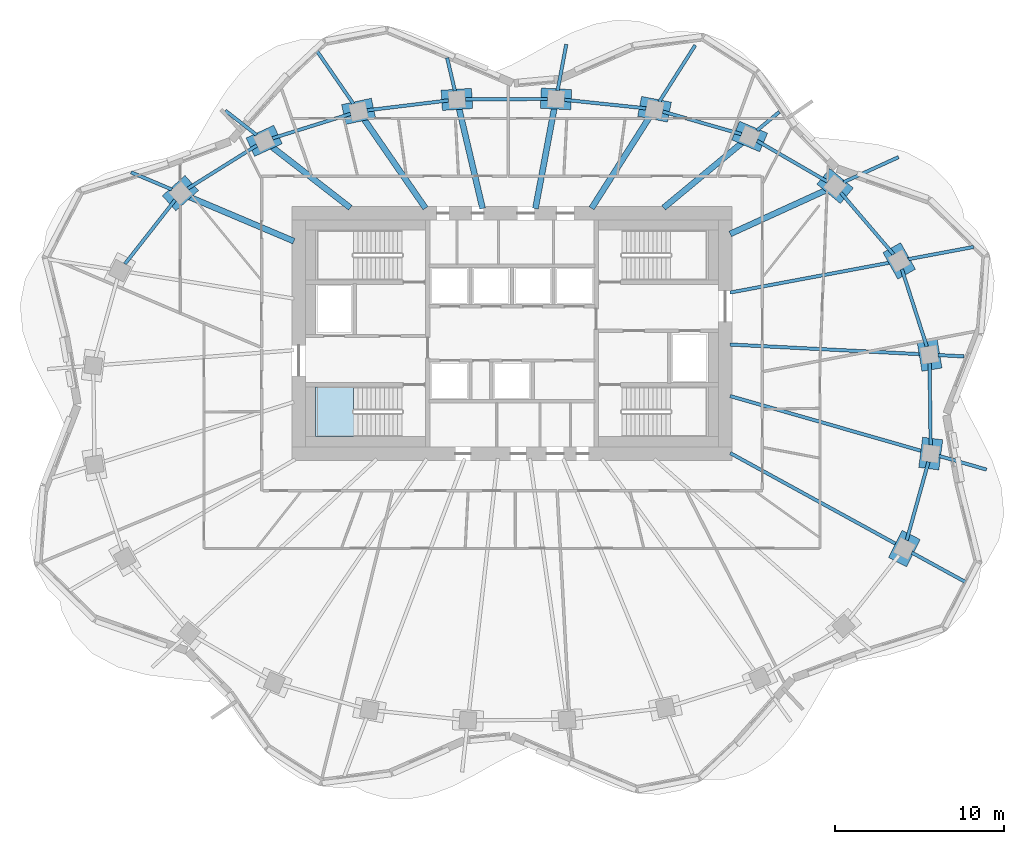
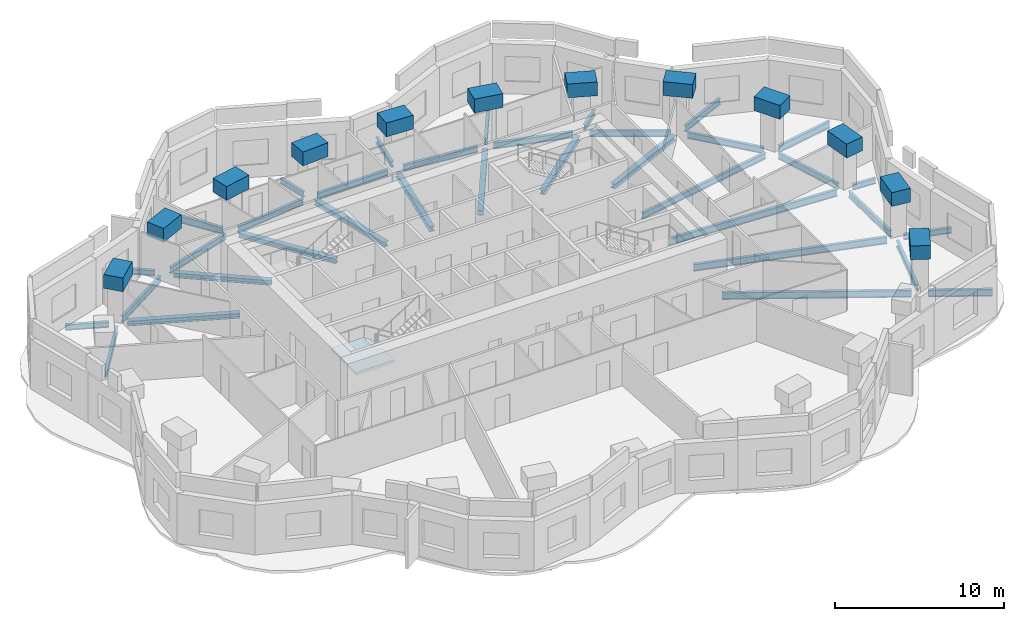
# One storey, part 2 of 11: 48 beams, 1 slab, 1 element without a shape of its own.
"""IFC4 building model written with IfcOpenShell, lengths in metres."""

from ifc_helpers import new_model, si_unit, direction, frame, origin, origin_2d, place, context, subcontext, project, spatial, polyline, rectangle, i_section, outline, extrude, material, layer, layer_set, material_profile, profile_set, type_object, element, aggregate, save


model = new_model("IFC4")

# Units and contexts
model_context = context("Model", 3, precision=1e-05, world=origin(), true_north=direction((0.0, 1.0)))
body_context = subcontext(model_context, "Body", "Model", "MODEL_VIEW")
ifc_project = project(units=[si_unit("LENGTHUNIT", "METRE"), si_unit("AREAUNIT", "SQUARE_METRE"), si_unit("VOLUMEUNIT", "CUBIC_METRE"), si_unit("PLANEANGLEUNIT", "RADIAN"), si_unit("MASSUNIT", "GRAM", prefix="KILO")], contexts=[model_context])

# Site, building, storey
site_placement = place(None, origin())
site = spatial("IfcSite", under=ifc_project, at=site_placement, CompositionType="ELEMENT")
building_placement = place(site_placement, origin())
building = spatial("IfcBuilding", under=site, at=building_placement, Name="Rubra Terraces Tower", CompositionType="ELEMENT")
storey_placement = place(building_placement, frame((0.0, 0.0, 260.39990234375)))
storey = spatial("IfcBuildingStorey", under=building, at=storey_placement, Name="L64", CompositionType="ELEMENT", Elevation=260.39990234375)

# Beams
ifc_material_1 = material(Name="Steel Q355B", Category="steel")
ifc_material_profile_1 = material_profile(ifc_material_1, i_section(OverallWidth=0.199951171875, OverallDepth=0.39990234375, WebThickness=0.008056640625, FlangeThickness=0.012939453125, at=origin_2d()), Name="HN 400x200x8x13")
ifc_profile_set_1 = profile_set([ifc_material_profile_1], Name="Steel Q355B")
beam_type_1 = type_object("IfcBeamType", Name="CANTILEVER BEAM HN 400x200x8x13", PredefinedType="BEAM", material=ifc_profile_set_1)
beam_1_placement = place(storey_placement, frame((25.179931640625, 3.221923828125, -0.39990234375), z_axis=(0.998705379321, -0.050868116877, 0.0), x_axis=(0.050868116877, 0.998705379321, 0.0)))
element("IfcBeam", 1, at=beam_1_placement, inside=storey, type_object=beam_type_1, Name="beam-L64-cant-01", PredefinedType="BEAM", context=body_context, shape_type="SweptSolid", body=[
    extrude(i_section(OverallWidth=0.199951171875, OverallDepth=0.39990234375, WebThickness=0.008056640625, FlangeThickness=0.012939453125, at=origin_2d()), origin(), (0.0, 0.0, 1.0), 1.531005859375),
])
beam_2_placement = place(storey_placement, frame((14.47509765625, 16.4951171875, -0.39990234375), z_axis=(0.77029770599, 0.637684439316, 0.0), x_axis=(-0.637684439316, 0.77029770599, 0.0)))
element("IfcBeam", 2, at=beam_2_placement, inside=storey, type_object=beam_type_1, Name="beam-L64-cant-04", PredefinedType="BEAM", context=body_context, shape_type="SweptSolid", body=[
    extrude(i_section(OverallWidth=0.199951171875, OverallDepth=0.39990234375, WebThickness=0.008056640625, FlangeThickness=0.012939453125, at=origin_2d()), origin(), (0.0, 0.0, 1.0), 1.712158203125),
])
beam_3_placement = place(storey_placement, frame((2.695068359375, 18.85400390625, -0.39990234375), z_axis=(0.184719314681, 0.982791318024, 0.0), x_axis=(-0.982791318024, 0.184719314681, 0.0)))
element("IfcBeam", 3, at=beam_3_placement, inside=storey, type_object=beam_type_1, Name="beam-L64-cant-06", PredefinedType="BEAM", context=body_context, shape_type="SweptSolid", body=[
    extrude(i_section(OverallWidth=0.199951171875, OverallDepth=0.39990234375, WebThickness=0.008056640625, FlangeThickness=0.012939453125, at=origin_2d()), origin(), (0.0, 0.0, 1.0), 2.771484375),
])
beam_4_placement = place(storey_placement, frame((-3.3701171875, 18.823974609375, -0.39990234375), z_axis=(-0.229039333726, 0.973417168334, 0.0), x_axis=(-0.973417168334, -0.229039333726, 0.0)))
element("IfcBeam", 4, at=beam_4_placement, inside=storey, type_object=beam_type_1, Name="beam-L64-cant-07", PredefinedType="BEAM", context=body_context, shape_type="SweptSolid", body=[
    extrude(i_section(OverallWidth=0.199951171875, OverallDepth=0.39990234375, WebThickness=0.008056640625, FlangeThickness=0.012939453125, at=origin_2d()), origin(), (0.0, 0.0, 1.0), 2.016845703125),
])
beam_5_placement = place(storey_placement, frame((-15.087890625, 16.22705078125, -0.39990234375), z_axis=(-0.789644202525, 0.613565019716, 0.0), x_axis=(-0.613565019716, -0.789644202525, 0.0)))
element("IfcBeam", 5, at=beam_5_placement, inside=storey, type_object=beam_type_1, Name="beam-L64-cant-09", PredefinedType="BEAM", context=body_context, shape_type="SweptSolid", body=[
    extrude(i_section(OverallWidth=0.199951171875, OverallDepth=0.39990234375, WebThickness=0.008056640625, FlangeThickness=0.012939453125, at=origin_2d()), origin(), (0.0, 0.0, 1.0), 2.340576171875),
])
beam_6_placement = place(storey_placement, frame((-20.10205078125, 13.0048828125, -0.39990234375), z_axis=(-0.920891110766, 0.389819909846, 0.0), x_axis=(-0.389819909846, -0.920891110766, 0.0)))
element("IfcBeam", 6, at=beam_6_placement, inside=storey, type_object=beam_type_1, Name="beam-L64-cant-10", PredefinedType="BEAM", context=body_context, shape_type="SweptSolid", body=[
    extrude(i_section(OverallWidth=0.199951171875, OverallDepth=0.39990234375, WebThickness=0.008056640625, FlangeThickness=0.012939453125, at=origin_2d()), origin(), (0.0, 0.0, 1.0), 2.611572265625),
])
beam_7_placement = place(storey_placement, frame((25.22900390625, -2.738037109375, -0.39990234375), z_axis=(0.961186154609, -0.275900663625, 0.0), x_axis=(0.275900663625, 0.961186154609, 0.0)))
element("IfcBeam", 7, at=beam_7_placement, inside=storey, type_object=beam_type_1, Name="beam-L64-cant-24", PredefinedType="BEAM", context=body_context, shape_type="SweptSolid", body=[
    extrude(i_section(OverallWidth=0.199951171875, OverallDepth=0.39990234375, WebThickness=0.008056640625, FlangeThickness=0.012939453125, at=origin_2d()), origin(), (0.0, 0.0, 1.0), 2.924560546875),
])
ifc_material_profile_2 = material_profile(ifc_material_1, i_section(OverallWidth=0.198974609375, OverallDepth=0.446044921875, WebThickness=0.008056640625, FlangeThickness=0.011962890625, at=origin_2d()), Name="HN 446x199x8x12")
ifc_profile_set_2 = profile_set([ifc_material_profile_2], Name="Steel Q355B")
beam_type_2 = type_object("IfcBeamType", Name="CANTILEVER BEAM HN 446x199x8x12", PredefinedType="BEAM", material=ifc_profile_set_2)
beam_8_placement = place(storey_placement, frame((19.596923828125, 13.43896484375, -0.4228515625), z_axis=(0.909750987553, 0.415154357614, 0.0), x_axis=(-0.415154357614, 0.909750987553, 0.0)))
element("IfcBeam", 8, at=beam_8_placement, inside=storey, type_object=beam_type_2, Name="beam-L64-cant-03", PredefinedType="BEAM", context=body_context, shape_type="SweptSolid", body=[
    extrude(i_section(OverallWidth=0.198974609375, OverallDepth=0.446044921875, WebThickness=0.008056640625, FlangeThickness=0.011962890625, at=origin_2d()), origin(), (0.0, 0.0, 1.0), 3.56494140625),
])
ifc_material_profile_3 = material_profile(ifc_material_1, i_section(OverallWidth=0.198974609375, OverallDepth=0.49609375, WebThickness=0.009033203125, FlangeThickness=0.013916015625, at=origin_2d()), Name="HN 496x199x9x14")
ifc_profile_set_3 = profile_set([ifc_material_profile_3], Name="Steel Q355B")
beam_type_3 = type_object("IfcBeamType", Name="CANTILEVER BEAM HN 496x199x9x14", PredefinedType="BEAM", material=ifc_profile_set_3)
beam_9_placement = place(storey_placement, frame((23.39794921875, 8.884033203125, -0.447998046875), z_axis=(0.982865888577, 0.18432212312, 0.0), x_axis=(-0.18432212312, 0.982865888577, 0.0)))
element("IfcBeam", 9, at=beam_9_placement, inside=storey, type_object=beam_type_3, Name="beam-L64-cant-02", PredefinedType="BEAM", context=body_context, shape_type="SweptSolid", body=[
    extrude(i_section(OverallWidth=0.198974609375, OverallDepth=0.49609375, WebThickness=0.009033203125, FlangeThickness=0.013916015625, at=origin_2d()), origin(), (0.0, 0.0, 1.0), 3.94970703125),
])
beam_10_placement = place(storey_placement, frame((8.7099609375, 18.201904296875, -0.447998046875), z_axis=(0.536427545347, 0.843946377795, 0.0), x_axis=(-0.843946377795, 0.536427545347, 0.0)))
element("IfcBeam", 10, at=beam_10_placement, inside=storey, type_object=beam_type_3, Name="beam-L64-cant-05", PredefinedType="BEAM", context=body_context, shape_type="SweptSolid", body=[
    extrude(i_section(OverallWidth=0.198974609375, OverallDepth=0.49609375, WebThickness=0.009033203125, FlangeThickness=0.013916015625, at=origin_2d()), origin(), (0.0, 0.0, 1.0), 3.950439453125),
])
beam_11_placement = place(storey_placement, frame((-9.3701171875, 18.070068359375, -0.447998046875), z_axis=(-0.568216621414, 0.822879013676, 0.0), x_axis=(-0.822879013676, -0.568216621414, 0.0)))
element("IfcBeam", 11, at=beam_11_placement, inside=storey, type_object=beam_type_3, Name="beam-L64-cant-08", PredefinedType="BEAM", context=body_context, shape_type="SweptSolid", body=[
    extrude(i_section(OverallWidth=0.198974609375, OverallDepth=0.49609375, WebThickness=0.009033203125, FlangeThickness=0.013916015625, at=origin_2d()), origin(), (0.0, 0.0, 1.0), 3.95068359375),
])
beam_12_placement = place(storey_placement, frame((23.6240234375, -8.449951171875, -0.447998046875), z_axis=(0.876754126766, -0.480938874701, 0.0), x_axis=(0.480938874701, 0.876754126766, 0.0)))
element("IfcBeam", 12, at=beam_12_placement, inside=storey, type_object=beam_type_3, Name="beam-L64-cant-23", PredefinedType="BEAM", context=body_context, shape_type="SweptSolid", body=[
    extrude(i_section(OverallWidth=0.198974609375, OverallDepth=0.49609375, WebThickness=0.009033203125, FlangeThickness=0.013916015625, at=origin_2d()), origin(), (0.0, 0.0, 1.0), 3.8173828125),
])
ifc_material_profile_4 = material_profile(ifc_material_1, i_section(OverallWidth=0.198974609375, OverallDepth=0.446044921875, WebThickness=0.008056640625, FlangeThickness=0.011962890625, at=origin_2d()), Name="HN 446x199x8x12")
ifc_profile_set_4 = profile_set([ifc_material_profile_4], Name="Steel Q355B")
beam_type_4 = type_object("IfcBeamType", Name="FLOOR BEAM HN 446x199x8x12", PredefinedType="BEAM", material=ifc_profile_set_4)
beam_13_placement = place(storey_placement, frame((22.360107421875, 8.68994140625, -0.4228515625), z_axis=(-0.982895681695, -0.18416318553, 0.0), x_axis=(0.18416318553, -0.982895681695, 0.0)))
element("IfcBeam", 13, at=beam_13_placement, inside=storey, type_object=beam_type_4, Name="beam-L64-floor-02", PredefinedType="BEAM", context=body_context, shape_type="SweptSolid", body=[
    extrude(i_section(OverallWidth=0.198974609375, OverallDepth=0.446044921875, WebThickness=0.008056640625, FlangeThickness=0.011962890625, at=origin_2d()), origin(), (0.0, 0.0, 1.0), 9.64306640625),
])
ifc_material_profile_5 = material_profile(ifc_material_1, i_section(OverallWidth=0.198974609375, OverallDepth=0.49609375, WebThickness=0.009033203125, FlangeThickness=0.013916015625, at=origin_2d()), Name="HN 496x199x9x14")
ifc_profile_set_5 = profile_set([ifc_material_profile_5], Name="Steel Q355B")
beam_type_5 = type_object("IfcBeamType", Name="FLOOR BEAM HN 496x199x9x14", PredefinedType="BEAM", material=ifc_profile_set_5)
beam_14_placement = place(storey_placement, frame((24.157958984375, 3.27392578125, -0.447998046875), z_axis=(-0.998716228561, 0.050654662269, 0.0), x_axis=(-0.050654662269, -0.998716228561, 0.0)))
element("IfcBeam", 14, at=beam_14_placement, inside=storey, type_object=beam_type_5, Name="beam-L64-floor-01", PredefinedType="BEAM", context=body_context, shape_type="SweptSolid", body=[
    extrude(i_section(OverallWidth=0.198974609375, OverallDepth=0.49609375, WebThickness=0.009033203125, FlangeThickness=0.013916015625, at=origin_2d()), origin(), (0.0, 0.0, 1.0), 11.29248046875),
])
beam_15_placement = place(storey_placement, frame((22.74609375, -7.969970703125, -0.447998046875), z_axis=(-0.876862055903, 0.480742066932, 0.0), x_axis=(-0.480742066932, -0.876862055903, 0.0)))
element("IfcBeam", 15, at=beam_15_placement, inside=storey, type_object=beam_type_5, Name="beam-L64-floor-23", PredefinedType="BEAM", context=body_context, shape_type="SweptSolid", body=[
    extrude(i_section(OverallWidth=0.198974609375, OverallDepth=0.49609375, WebThickness=0.009033203125, FlangeThickness=0.013916015625, at=origin_2d()), origin(), (0.0, 0.0, 1.0), 11.234375),
])
beam_16_placement = place(storey_placement, frame((24.257080078125, -2.4599609375, -0.447998046875), z_axis=(-0.961215754667, 0.275797521707, 0.0), x_axis=(-0.275797521707, -0.961215754667, 0.0)))
element("IfcBeam", 16, at=beam_16_placement, inside=storey, type_object=beam_type_5, Name="beam-L64-floor-24", PredefinedType="BEAM", context=body_context, shape_type="SweptSolid", body=[
    extrude(i_section(OverallWidth=0.198974609375, OverallDepth=0.49609375, WebThickness=0.009033203125, FlangeThickness=0.013916015625, at=origin_2d()), origin(), (0.0, 0.0, 1.0), 11.830810546875),
])
ifc_material_profile_6 = material_profile(ifc_material_1, i_section(OverallWidth=0.35009765625, OverallDepth=0.35009765625, WebThickness=0.011962890625, FlangeThickness=0.01904296875, at=origin_2d()), Name="HW 350x350x12x19")
ifc_profile_set_6 = profile_set([ifc_material_profile_6], Name="Steel Q355B")
beam_type_6 = type_object("IfcBeamType", Name="FLOOR BEAM HW 350x350x12x19", PredefinedType="BEAM", material=ifc_profile_set_6)
beam_17_placement = place(storey_placement, frame((18.5869140625, 12.97900390625, -0.375), z_axis=(-0.909756526533, -0.415142219523, 0.0), x_axis=(0.415142219523, -0.909756526533, 0.0)))
element("IfcBeam", 17, at=beam_17_placement, inside=storey, type_object=beam_type_6, Name="beam-L64-floor-03", PredefinedType="BEAM", context=body_context, shape_type="SweptSolid", body=[
    extrude(i_section(OverallWidth=0.35009765625, OverallDepth=0.35009765625, WebThickness=0.011962890625, FlangeThickness=0.01904296875, at=origin_2d()), origin(), (0.0, 0.0, 1.0), 6.2607421875),
])
beam_18_placement = place(storey_placement, frame((13.60888671875, 15.777099609375, -0.375), z_axis=(-0.769987518392, -0.638058948312, 0.0), x_axis=(0.638058948312, -0.769987518392, 0.0)))
element("IfcBeam", 18, at=beam_18_placement, inside=storey, type_object=beam_type_6, Name="beam-L64-floor-04", PredefinedType="BEAM", context=body_context, shape_type="SweptSolid", body=[
    extrude(i_section(OverallWidth=0.35009765625, OverallDepth=0.35009765625, WebThickness=0.011962890625, FlangeThickness=0.01904296875, at=origin_2d()), origin(), (0.0, 0.0, 1.0), 6.040283203125),
])
beam_19_placement = place(storey_placement, frame((8.134033203125, 17.2958984375, -0.375), z_axis=(-0.536509861106, -0.843894050776, 0.0), x_axis=(0.843894050776, -0.536509861106, 0.0)))
element("IfcBeam", 19, at=beam_19_placement, inside=storey, type_object=beam_type_6, Name="beam-L64-floor-05", PredefinedType="BEAM", context=body_context, shape_type="SweptSolid", body=[
    extrude(i_section(OverallWidth=0.35009765625, OverallDepth=0.35009765625, WebThickness=0.011962890625, FlangeThickness=0.01904296875, at=origin_2d()), origin(), (0.0, 0.0, 1.0), 6.395263671875),
])
beam_20_placement = place(storey_placement, frame((2.509033203125, 17.862060546875, -0.375), z_axis=(-0.184574398021, -0.982818544593, 0.0), x_axis=(0.982818544593, -0.184574398021, 0.0)))
element("IfcBeam", 20, at=beam_20_placement, inside=storey, type_object=beam_type_6, Name="beam-L64-floor-06", PredefinedType="BEAM", context=body_context, shape_type="SweptSolid", body=[
    extrude(i_section(OverallWidth=0.35009765625, OverallDepth=0.35009765625, WebThickness=0.011962890625, FlangeThickness=0.01904296875, at=origin_2d()), origin(), (0.0, 0.0, 1.0), 6.08447265625),
])
beam_21_placement = place(storey_placement, frame((-3.137939453125, 17.8359375, -0.375), z_axis=(0.229070485592, -0.973409837957, 0.0), x_axis=(0.973409837957, 0.229070485592, 0.0)))
element("IfcBeam", 21, at=beam_21_placement, inside=storey, type_object=beam_type_6, Name="beam-L64-floor-07", PredefinedType="BEAM", context=body_context, shape_type="SweptSolid", body=[
    extrude(i_section(OverallWidth=0.35009765625, OverallDepth=0.35009765625, WebThickness=0.011962890625, FlangeThickness=0.01904296875, at=origin_2d()), origin(), (0.0, 0.0, 1.0), 6.115478515625),
])
beam_22_placement = place(storey_placement, frame((-8.756103515625, 17.179931640625, -0.375), z_axis=(0.568186422001, -0.822899866238, 0.0), x_axis=(0.822899866238, 0.568186422001, 0.0)))
element("IfcBeam", 22, at=beam_22_placement, inside=storey, type_object=beam_type_6, Name="beam-L64-floor-08", PredefinedType="BEAM", context=body_context, shape_type="SweptSolid", body=[
    extrude(i_section(OverallWidth=0.35009765625, OverallDepth=0.35009765625, WebThickness=0.011962890625, FlangeThickness=0.01904296875, at=origin_2d()), origin(), (0.0, 0.0, 1.0), 6.415283203125),
])
beam_23_placement = place(storey_placement, frame((-14.197998046875, 15.534912109375, -0.375), z_axis=(0.789548898228, -0.613687654517, 0.0), x_axis=(0.613687654517, 0.789548898228, 0.0)))
element("IfcBeam", 23, at=beam_23_placement, inside=storey, type_object=beam_type_6, Name="beam-L64-floor-09", PredefinedType="BEAM", context=body_context, shape_type="SweptSolid", body=[
    extrude(i_section(OverallWidth=0.35009765625, OverallDepth=0.35009765625, WebThickness=0.011962890625, FlangeThickness=0.01904296875, at=origin_2d()), origin(), (0.0, 0.0, 1.0), 5.880615234375),
])
beam_24_placement = place(storey_placement, frame((-19.083984375, 12.574951171875, -0.375), z_axis=(0.92097476483, -0.38962223056, 0.0), x_axis=(0.38962223056, 0.92097476483, 0.0)))
element("IfcBeam", 24, at=beam_24_placement, inside=storey, type_object=beam_type_6, Name="beam-L64-floor-10", PredefinedType="BEAM", context=body_context, shape_type="SweptSolid", body=[
    extrude(i_section(OverallWidth=0.35009765625, OverallDepth=0.35009765625, WebThickness=0.011962890625, FlangeThickness=0.01904296875, at=origin_2d()), origin(), (0.0, 0.0, 1.0), 6.7265625),
])
ifc_material_profile_7 = material_profile(ifc_material_1, i_section(OverallWidth=0.198974609375, OverallDepth=0.446044921875, WebThickness=0.008056640625, FlangeThickness=0.011962890625, at=origin_2d()), Name="HN 446x199x8x12")
ifc_profile_set_7 = profile_set([ifc_material_profile_7], Name="Steel Q355B")
beam_type_7 = type_object("IfcBeamType", Name="SPANDREL BEAM HN 446x199x8x12", PredefinedType="SPANDREL", material=ifc_profile_set_7)
beam_25_placement = place(storey_placement, frame((24.512939453125, 3.72900390625, -0.4228515625), z_axis=(-0.307359002872, 0.951593633519, 0.0), x_axis=(-0.951593633519, -0.307359002872, 0.0)))
element("IfcBeam", 25, at=beam_25_placement, inside=storey, type_object=beam_type_7, Name="beam-L64-spandrel-01", PredefinedType="SPANDREL", context=body_context, shape_type="SweptSolid", body=[
    extrude(i_section(OverallWidth=0.198974609375, OverallDepth=0.446044921875, WebThickness=0.008056640625, FlangeThickness=0.011962890625, at=origin_2d()), origin(), (0.0, 0.0, 1.0), 4.8056640625),
])
beam_26_placement = place(storey_placement, frame((22.547119140625, 9.174072265625, -0.4228515625), z_axis=(-0.650372836218, 0.759615148552, 0.0), x_axis=(-0.759615148552, -0.650372836218, 0.0)))
element("IfcBeam", 26, at=beam_26_placement, inside=storey, type_object=beam_type_7, Name="beam-L64-spandrel-02", PredefinedType="SPANDREL", context=body_context, shape_type="SweptSolid", body=[
    extrude(i_section(OverallWidth=0.198974609375, OverallDepth=0.446044921875, WebThickness=0.008056640625, FlangeThickness=0.011962890625, at=origin_2d()), origin(), (0.0, 0.0, 1.0), 4.804931640625),
])
beam_27_placement = place(storey_placement, frame((18.653076171875, 13.462890625, -0.4228515625), z_axis=(-0.865153680787, 0.501506838059, 0.0), x_axis=(-0.501506838059, -0.865153680787, 0.0)))
element("IfcBeam", 27, at=beam_27_placement, inside=storey, type_object=beam_type_7, Name="beam-L64-spandrel-03", PredefinedType="SPANDREL", context=body_context, shape_type="SweptSolid", body=[
    extrude(i_section(OverallWidth=0.198974609375, OverallDepth=0.446044921875, WebThickness=0.008056640625, FlangeThickness=0.011962890625, at=origin_2d()), origin(), (0.0, 0.0, 1.0), 4.82568359375),
])
beam_28_placement = place(storey_placement, frame((13.55810546875, 16.27490234375, -0.4228515625), z_axis=(-0.961171164323, 0.275952881621, 0.0), x_axis=(-0.275952881621, -0.961171164323, 0.0)))
element("IfcBeam", 28, at=beam_28_placement, inside=storey, type_object=beam_type_7, Name="beam-L64-spandrel-04", PredefinedType="SPANDREL", context=body_context, shape_type="SweptSolid", body=[
    extrude(i_section(OverallWidth=0.198974609375, OverallDepth=0.446044921875, WebThickness=0.008056640625, FlangeThickness=0.011962890625, at=origin_2d()), origin(), (0.0, 0.0, 1.0), 4.842041015625),
])
beam_29_placement = place(storey_placement, frame((7.923095703125, 17.801025390625, -0.4228515625), z_axis=(-0.994565426955, 0.104113454971, 0.0), x_axis=(-0.104113454971, -0.994565426955, 0.0)))
element("IfcBeam", 29, at=beam_29_placement, inside=storey, type_object=beam_type_7, Name="beam-L64-spandrel-05", PredefinedType="SPANDREL", context=body_context, shape_type="SweptSolid", body=[
    extrude(i_section(OverallWidth=0.198974609375, OverallDepth=0.446044921875, WebThickness=0.008056640625, FlangeThickness=0.011962890625, at=origin_2d()), origin(), (0.0, 0.0, 1.0), 4.849365234375),
])
beam_30_placement = place(storey_placement, frame((2.10107421875, 18.35595703125, -0.4228515625), z_axis=(-0.999987852299, -0.004929021704, 0.0), x_axis=(0.004929021704, -0.999987852299, 0.0)))
element("IfcBeam", 30, at=beam_30_placement, inside=storey, type_object=beam_type_7, Name="beam-L64-spandrel-06", PredefinedType="SPANDREL", context=body_context, shape_type="SweptSolid", body=[
    extrude(i_section(OverallWidth=0.198974609375, OverallDepth=0.446044921875, WebThickness=0.008056640625, FlangeThickness=0.011962890625, at=origin_2d()), origin(), (0.0, 0.0, 1.0), 4.85400390625),
])
beam_31_placement = place(storey_placement, frame((-3.7509765625, 18.27001953125, -0.4228515625), z_axis=(-0.992698018573, -0.120626049929, 0.0), x_axis=(0.120626049929, -0.992698018573, 0.0)))
element("IfcBeam", 31, at=beam_31_placement, inside=storey, type_object=beam_type_7, Name="beam-L64-spandrel-07", PredefinedType="SPANDREL", context=body_context, shape_type="SweptSolid", body=[
    extrude(i_section(OverallWidth=0.198974609375, OverallDepth=0.446044921875, WebThickness=0.008056640625, FlangeThickness=0.011962890625, at=origin_2d()), origin(), (0.0, 0.0, 1.0), 4.849365234375),
])
beam_32_placement = place(storey_placement, frame((-9.5419921875, 17.47509765625, -0.4228515625), z_axis=(-0.954462027342, -0.298332429282, 0.0), x_axis=(0.298332429282, -0.954462027342, 0.0)))
element("IfcBeam", 32, at=beam_32_placement, inside=storey, type_object=beam_type_7, Name="beam-L64-spandrel-08", PredefinedType="SPANDREL", context=body_context, shape_type="SweptSolid", body=[
    extrude(i_section(OverallWidth=0.198974609375, OverallDepth=0.446044921875, WebThickness=0.008056640625, FlangeThickness=0.011962890625, at=origin_2d()), origin(), (0.0, 0.0, 1.0), 4.840576171875),
])
beam_33_placement = place(storey_placement, frame((-15.071044921875, 15.614013671875, -0.4228515625), z_axis=(-0.848183088492, -0.529703170083, 0.0), x_axis=(0.529703170083, -0.848183088492, 0.0)))
element("IfcBeam", 33, at=beam_33_placement, inside=storey, type_object=beam_type_7, Name="beam-L64-spandrel-09", PredefinedType="SPANDREL", context=body_context, shape_type="SweptSolid", body=[
    extrude(i_section(OverallWidth=0.198974609375, OverallDepth=0.446044921875, WebThickness=0.008056640625, FlangeThickness=0.011962890625, at=origin_2d()), origin(), (0.0, 0.0, 1.0), 4.8232421875),
])
beam_34_placement = place(storey_placement, frame((-19.906005859375, 12.39111328125, -0.4228515625), z_axis=(-0.617060338015, -0.786915840004, 0.0), x_axis=(0.786915840004, -0.617060338015, 0.0)))
element("IfcBeam", 34, at=beam_34_placement, inside=storey, type_object=beam_type_7, Name="beam-L64-spandrel-10", PredefinedType="SPANDREL", context=body_context, shape_type="SweptSolid", body=[
    extrude(i_section(OverallWidth=0.198974609375, OverallDepth=0.446044921875, WebThickness=0.008056640625, FlangeThickness=0.011962890625, at=origin_2d()), origin(), (0.0, 0.0, 1.0), 4.8037109375),
])
beam_35_placement = place(storey_placement, frame((23.321044921875, -7.718994140625, -0.4228515625), z_axis=(0.267625533012, 0.963523001324, 0.0), x_axis=(-0.963523001324, 0.267625533012, 0.0)))
element("IfcBeam", 35, at=beam_35_placement, inside=storey, type_object=beam_type_7, Name="beam-L64-spandrel-23", PredefinedType="SPANDREL", context=body_context, shape_type="SweptSolid", body=[
    extrude(i_section(OverallWidth=0.198974609375, OverallDepth=0.446044921875, WebThickness=0.008056640625, FlangeThickness=0.011962890625, at=origin_2d()), origin(), (0.0, 0.0, 1.0), 4.808349609375),
])
beam_36_placement = place(storey_placement, frame((24.737060546875, -2.093994140625, -0.4228515625), z_axis=(-0.012822047643, 0.999917794168, 0.0), x_axis=(-0.999917794168, -0.012822047643, 0.0)))
element("IfcBeam", 36, at=beam_36_placement, inside=storey, type_object=beam_type_7, Name="beam-L64-spandrel-24", PredefinedType="SPANDREL", context=body_context, shape_type="SweptSolid", body=[
    extrude(i_section(OverallWidth=0.198974609375, OverallDepth=0.446044921875, WebThickness=0.008056640625, FlangeThickness=0.011962890625, at=origin_2d()), origin(), (0.0, 0.0, 1.0), 4.83642578125),
])
ifc_material_2 = material(Name="Concrete C50", Category="concrete")
ifc_material_profile_8 = material_profile(ifc_material_2, rectangle(XDim=1.199951171875, YDim=1.0, at=origin_2d()), Name="RC 1200x1000")
ifc_profile_set_8 = profile_set([ifc_material_profile_8], Name="Concrete C50")
beam_type_8 = type_object("IfcBeamType", Name="TRANSFER NODE RC 1200x1000 C50", PredefinedType="BEAM", material=ifc_profile_set_8)
beam_37_placement = place(storey_placement, frame((24.81396484375, 2.360107421875, 3.10009765625), z_axis=(-0.161185839737, 0.986924072595, 0.0), x_axis=(-0.986924072595, -0.161185839737, 0.0)))
element("IfcBeam", 37, at=beam_37_placement, inside=storey, type_object=beam_type_8, Name="node-L65-lo-01", PredefinedType="BEAM", context=body_context, shape_type="SweptSolid", body=[
    extrude(rectangle(XDim=1.199951171875, YDim=1.0, at=origin_2d()), origin(), (0.0, 0.0, 1.0), 1.79931640625),
])
beam_38_placement = place(storey_placement, frame((23.319091796875, 8.001953125, 3.10009765625), z_axis=(-0.488979181203, 0.872295454734, 0.0), x_axis=(-0.872295454734, -0.488979181203, 0.0)))
element("IfcBeam", 38, at=beam_38_placement, inside=storey, type_object=beam_type_8, Name="node-L65-lo-02", PredefinedType="BEAM", context=body_context, shape_type="SweptSolid", body=[
    extrude(rectangle(XDim=1.199951171875, YDim=1.0, at=origin_2d()), origin(), (0.0, 0.0, 1.0), 1.800048828125),
])
beam_39_placement = place(storey_placement, frame((19.783935546875, 12.634033203125, 3.10009765625), z_axis=(-0.769165748433, 0.639049334119, 0.0), x_axis=(-0.639049334119, -0.769165748433, 0.0)))
element("IfcBeam", 39, at=beam_39_placement, inside=storey, type_object=beam_type_8, Name="node-L65-lo-03", PredefinedType="BEAM", context=body_context, shape_type="SweptSolid", body=[
    extrude(rectangle(XDim=1.199951171875, YDim=1.0, at=origin_2d()), origin(), (0.0, 0.0, 1.0), 1.79931640625),
])
beam_40_placement = place(storey_placement, frame((14.8701171875, 15.783935546875, 3.10009765625), z_axis=(-0.920271079346, 0.391281408349, 0.0), x_axis=(-0.391281408349, -0.920271079346, 0.0)))
element("IfcBeam", 40, at=beam_40_placement, inside=storey, type_object=beam_type_8, Name="node-L65-lo-04", PredefinedType="BEAM", context=body_context, shape_type="SweptSolid", body=[
    extrude(rectangle(XDim=1.199951171875, YDim=1.0, at=origin_2d()), origin(), (0.0, 0.0, 1.0), 1.799560546875),
])
beam_41_placement = place(storey_placement, frame((9.304931640625, 17.576904296875, 3.10009765625), z_axis=(-0.981549648617, 0.191207445721, 0.0), x_axis=(-0.191207445721, -0.981549648617, 0.0)))
element("IfcBeam", 41, at=beam_41_placement, inside=storey, type_object=beam_type_8, Name="node-L65-lo-05", PredefinedType="BEAM", context=body_context, shape_type="SweptSolid", body=[
    extrude(rectangle(XDim=1.199951171875, YDim=1.0, at=origin_2d()), origin(), (0.0, 0.0, 1.0), 1.799072265625),
])
beam_42_placement = place(storey_placement, frame((3.5009765625, 18.31298828125, 3.10009765625), z_axis=(-0.998747261135, 0.050039068481, 0.0), x_axis=(-0.050039068481, -0.998747261135, 0.0)))
element("IfcBeam", 42, at=beam_42_placement, inside=storey, type_object=beam_type_8, Name="node-L65-lo-06", PredefinedType="BEAM", context=body_context, shape_type="SweptSolid", body=[
    extrude(rectangle(XDim=1.199951171875, YDim=1.0, at=origin_2d()), origin(), (0.0, 0.0, 1.0), 1.80029296875),
])
beam_43_placement = place(storey_placement, frame((-2.35595703125, 18.385986328125, 3.10009765625), z_axis=(-0.998059434683, -0.062268489944, 0.0), x_axis=(0.062268489944, -0.998059434683, 0.0)))
element("IfcBeam", 43, at=beam_43_placement, inside=storey, type_object=beam_type_8, Name="node-L65-lo-07", PredefinedType="BEAM", context=body_context, shape_type="SweptSolid", body=[
    extrude(rectangle(XDim=1.199951171875, YDim=1.0, at=origin_2d()), origin(), (0.0, 0.0, 1.0), 1.799560546875),
])
beam_44_placement = place(storey_placement, frame((-8.18310546875, 17.81396484375, 3.10009765625), z_axis=(-0.977713011917, -0.209945865231, 0.0), x_axis=(0.209945865231, -0.977713011917, 0.0)))
element("IfcBeam", 44, at=beam_44_placement, inside=storey, type_object=beam_type_8, Name="node-L65-lo-08", PredefinedType="BEAM", context=body_context, shape_type="SweptSolid", body=[
    extrude(rectangle(XDim=1.199951171875, YDim=1.0, at=origin_2d()), origin(), (0.0, 0.0, 1.0), 1.800048828125),
])
beam_45_placement = place(storey_placement, frame((-13.824951171875, 16.257080078125, 3.10009765625), z_axis=(-0.908565594754, -0.417742217197, 0.0), x_axis=(0.417742217197, -0.908565594754, 0.0)))
element("IfcBeam", 45, at=beam_45_placement, inside=storey, type_object=beam_type_8, Name="node-L65-lo-09", PredefinedType="BEAM", context=body_context, shape_type="SweptSolid", body=[
    extrude(rectangle(XDim=1.199951171875, YDim=1.0, at=origin_2d()), origin(), (0.0, 0.0, 1.0), 1.800537109375),
])
beam_46_placement = place(storey_placement, frame((-18.923095703125, 13.39111328125, 3.10009765625), z_axis=(-0.744318340355, -0.667824983219, 0.0), x_axis=(0.667824983219, -0.744318340355, 0.0)))
element("IfcBeam", 46, at=beam_46_placement, inside=storey, type_object=beam_type_8, Name="node-L65-lo-10", PredefinedType="BEAM", context=body_context, shape_type="SweptSolid", body=[
    extrude(rectangle(XDim=1.199951171875, YDim=1.0, at=origin_2d()), origin(), (0.0, 0.0, 1.0), 1.800048828125),
])
beam_47_placement = place(storey_placement, frame((22.779052734375, -9.012939453125, 3.10009765625), z_axis=(0.45122479892, 0.892410320895, 0.0), x_axis=(-0.892410320895, 0.45122479892, 0.0)))
element("IfcBeam", 47, at=beam_47_placement, inside=storey, type_object=beam_type_8, Name="node-L65-lo-23", PredefinedType="BEAM", context=body_context, shape_type="SweptSolid", body=[
    extrude(rectangle(XDim=1.199951171875, YDim=1.0, at=origin_2d()), origin(), (0.0, 0.0, 1.0), 1.799560546875),
])
beam_48_placement = place(storey_placement, frame((24.626953125, -3.491943359375, 3.10009765625), z_axis=(0.128788580977, 0.991672073525, 0.0), x_axis=(-0.991672073525, 0.128788580977, 0.0)))
element("IfcBeam", 48, at=beam_48_placement, inside=storey, type_object=beam_type_8, Name="node-L65-lo-24", PredefinedType="BEAM", context=body_context, shape_type="SweptSolid", body=[
    extrude(rectangle(XDim=1.199951171875, YDim=1.0, at=origin_2d()), origin(), (0.0, 0.0, 1.0), 1.80078125),
])

# Stair, slab
ifc_material_3 = material(Name="Concrete C40", Category="concrete")
stair_type = type_object("IfcStairType", Name="Core stair 1400", PredefinedType="HALF_TURN_STAIR", material=ifc_material_3)
stair_placement = place(storey_placement, origin())
stair = element("IfcStair", 49, at=stair_placement, inside=storey, type_object=stair_type, Name="L64 Exit stair S1", PredefinedType="HALF_TURN_STAIR")
ifc_layer = layer(ifc_material_3, 0.199951171875)
ifc_layer_set = layer_set([ifc_layer], Name="Concrete C40")
slab_type = type_object("IfcSlabType", Name="Core stair landing 200", PredefinedType="LANDING", material=ifc_layer_set)
slab_placement = place(storey_placement, frame((0.0, 0.0, 1.75)))
slab = element("IfcSlab", 50, at=slab_placement, type_object=slab_type, Name="S1 landing 1", PredefinedType="LANDING", context=body_context, shape_type="SweptSolid", body=[
    extrude(outline(polyline([(-8.97998046875, -0.199951171875), (-8.97998046875, -1.60009765625), (-9.360107421875, -1.60009765625), (-9.3798828125, -1.60009765625), (-11.60009765625, -1.60009765625), (-11.60009765625, 1.35009765625), (-9.3798828125, 1.35009765625), (-9.35791015625, 1.35009765625), (-9.35791015625, -0.050048828125), (-9.360107421875, -0.050048828125), (-9.360107421875, -0.199951171875), (-8.97998046875, -0.199951171875)])), origin(), (0.0, 0.0, 1.0), 0.2001953125),
])
aggregate(stair, [slab])

save(model, "model.ifc")
